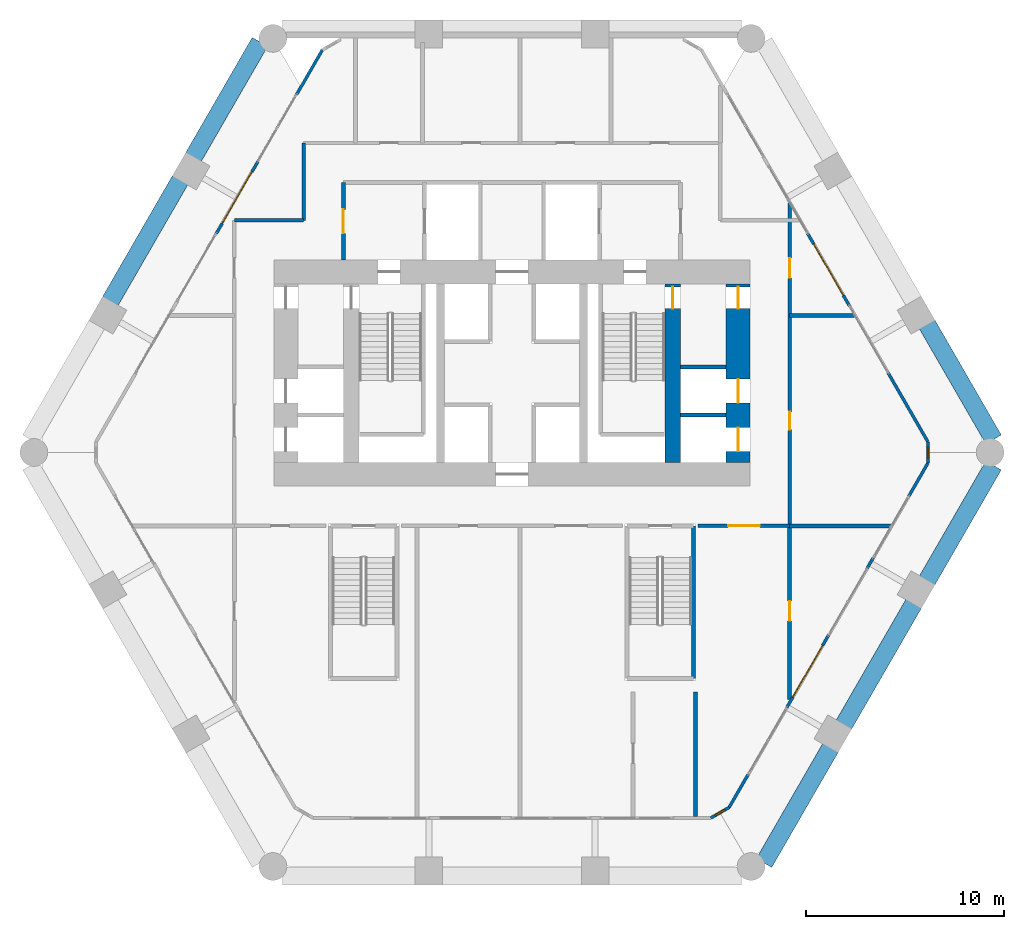
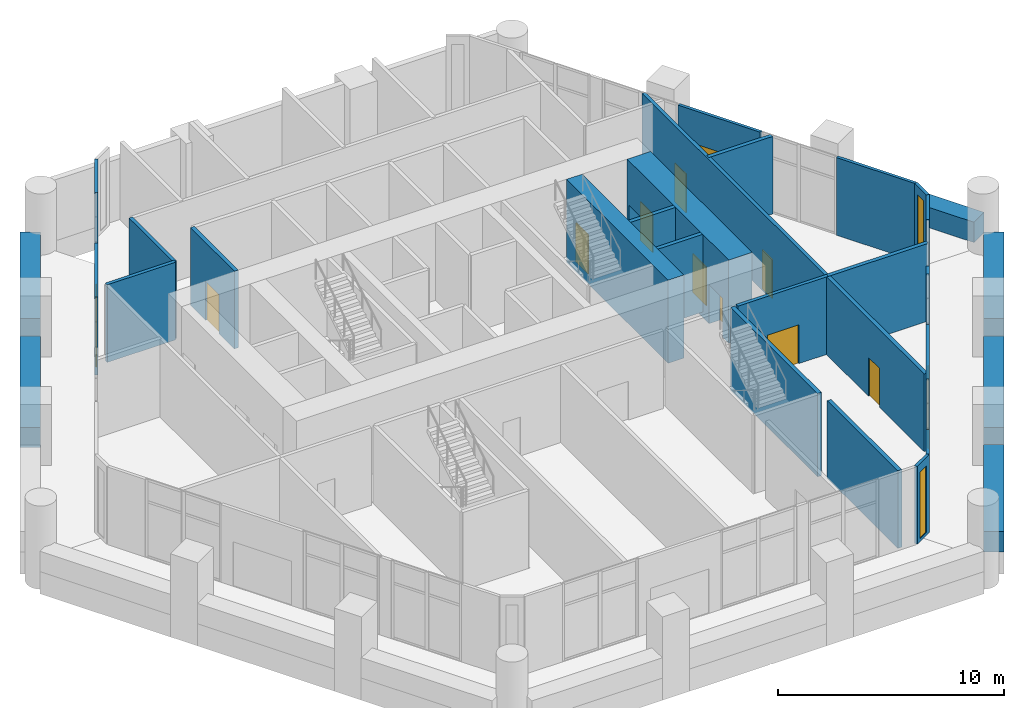
# One storey, part 15 of 18: 30 walls, 12 doors, 2 windows, 14 openings.
"""IFC4 building model written with IfcOpenShell, lengths in metres."""

import ifcopenshell
import ifcopenshell.guid

model = None  # the IFC model being written
_history = None  # IfcOwnerHistory: only IFC2X3 demands one
_inside = {}  # id of a spatial element -> (the spatial element, [elements in it])
_under = {}  # id of a project, library or spatial element -> (it, [spatial elements below it])
_declared = {}  # id of a project -> (the project, [libraries it declares])
_typed = {}  # id of a type object -> (the type object, [elements of that type])
_made_of = {}  # id of a material, layer set ... -> (it, [elements and type objects made of it])


def new_model(schema):
    """Start an empty IFC model of exactly this schema.

    Asked for "IFC4X3", IfcOpenShell would pick the latest addendum, in which some entities
    have other attributes; the version numbers below select the first issue.
    IFC2X3 requires an IfcOwnerHistory on every rooted entity: one is made here for all.
    """
    global model, _history
    if schema == "IFC4X3":
        model = ifcopenshell.file(schema_version=(4, 3, 0, 0))
    else:
        model = ifcopenshell.file(schema=schema)
    _inside.clear()
    _under.clear()
    _declared.clear()
    _typed.clear()
    _made_of.clear()
    _history = None
    if model.schema == "IFC2X3":
        org = make("IfcOrganization", Name="unknown")
        user = make(
            "IfcPersonAndOrganization",
            ThePerson=make("IfcPerson", FamilyName="unknown"),
            TheOrganization=org,
        )
        app = make(
            "IfcApplication",
            ApplicationDeveloper=org,
            Version="unknown",
            ApplicationFullName="unknown",
            ApplicationIdentifier="unknown",
        )
        _history = make(
            "IfcOwnerHistory",
            OwningUser=user,
            OwningApplication=app,
            ChangeAction="ADDED",
            CreationDate=0,
        )
    return model


def make(cls, **values):
    """One entity of the class cls with the attributes given. An attribute that is None is left unset."""
    return model.create_entity(
        cls, **{name: value for name, value in values.items() if value is not None}
    )


def rooted(cls, **values):
    """An entity with a GlobalId (a new one), such as an element, a storey or a relation."""
    return make(cls, GlobalId=ifcopenshell.guid.new(), OwnerHistory=_history, **values)


def si_unit(unit_type, name, prefix=None):
    """IfcSIUnit, for example si_unit("LENGTHUNIT", "METRE", prefix="MILLI")."""
    return make("IfcSIUnit", UnitType=unit_type, Prefix=prefix, Name=name)


def assignment(units):
    """IfcUnitAssignment: the units of a project."""
    return None if units is None else make("IfcUnitAssignment", Units=units)


def point(xyz):
    """IfcCartesianPoint."""
    return None if xyz is None else make("IfcCartesianPoint", Coordinates=xyz)


def direction(xyz):
    """IfcDirection."""
    return None if xyz is None else make("IfcDirection", DirectionRatios=xyz)


def frame(location, z_axis=None, x_axis=None):
    """IfcAxis2Placement3D, a coordinate frame: its origin and axes. An axis left out is left unset."""
    return make(
        "IfcAxis2Placement3D",
        Location=point(location),
        Axis=direction(z_axis),
        RefDirection=direction(x_axis),
    )


def frame_2d(location, x_axis=None):
    """IfcAxis2Placement2D, a coordinate frame in the plane: its origin and x axis."""
    return make(
        "IfcAxis2Placement2D", Location=point(location), RefDirection=direction(x_axis)
    )


def origin():
    """The frame at (0, 0, 0) with its axes left unset."""
    return frame((0.0, 0.0, 0.0))


def place(relative_to, where):
    """IfcLocalPlacement: puts the frame where relative to a parent placement (None: the world)."""
    return make(
        "IfcLocalPlacement", PlacementRelTo=relative_to, RelativePlacement=where
    )


def context(
    kind, dimensions, precision=None, world=None, true_north=None, identifier=None
):
    """IfcGeometricRepresentationContext, for example the 3D "Model" context."""
    return make(
        "IfcGeometricRepresentationContext",
        ContextIdentifier=identifier,
        ContextType=kind,
        CoordinateSpaceDimension=dimensions,
        Precision=precision,
        WorldCoordinateSystem=world,
        TrueNorth=true_north,
    )


def subcontext(parent, identifier, kind, view, scale=None):
    """IfcGeometricRepresentationSubContext, for example "Body" below "Model"."""
    return make(
        "IfcGeometricRepresentationSubContext",
        ContextIdentifier=identifier,
        ContextType=kind,
        ParentContext=parent,
        TargetScale=scale,
        TargetView=view,
    )


def project(units=None, contexts=None):
    """IfcProject with its units and contexts."""
    return rooted(
        "IfcProject",
        Name="project",
        RepresentationContexts=contexts,
        UnitsInContext=assignment(units),
    )


def spatial(cls, under=None, at=None, **own):
    """A site, building, storey or space (cls), placed at a placement, below another one or the project."""
    s = rooted(cls, ObjectPlacement=at, **own)
    if under is not None:
        _under.setdefault(under.id(), (under, []))[1].append(s)
    return s


def profile(cls, at=None, kind="AREA", **sizes):
    """A parametric profile (cls). Its sizes go by their IFC names, for example OverallWidth=200.0."""
    return make(cls, ProfileType=kind, Position=at, **sizes)


def rectangle(**sizes):
    """IfcRectangleProfileDef."""
    return profile("IfcRectangleProfileDef", **sizes)


def extrude(swept, where, along, depth):
    """IfcExtrudedAreaSolid: the profile swept, set in the frame where, extruded along a direction by depth."""
    return make(
        "IfcExtrudedAreaSolid",
        SweptArea=swept,
        Position=where,
        ExtrudedDirection=direction(along),
        Depth=depth,
    )


def shape(context_of_items, identifier, shape_type, items):
    """IfcShapeRepresentation: the items that make up one representation, for example the "Body"."""
    return make(
        "IfcShapeRepresentation",
        ContextOfItems=context_of_items,
        RepresentationIdentifier=identifier,
        RepresentationType=shape_type,
        Items=items,
    )


def material(Name=None, Category=None):
    """IfcMaterial."""
    return make("IfcMaterial", Name=Name, Category=Category)


def layer(
    of_material, thickness, ventilated=None, Name=None, Category=None, Priority=None
):
    """IfcMaterialLayer: one layer of a wall or slab, of a material (None: an air gap)."""
    return make(
        "IfcMaterialLayer",
        Material=of_material,
        LayerThickness=thickness,
        IsVentilated=ventilated,
        Name=Name,
        Category=Category,
        Priority=Priority,
    )


def layer_set(layers, Name=None):
    """IfcMaterialLayerSet."""
    return make("IfcMaterialLayerSet", MaterialLayers=layers, LayerSetName=Name)


def made_of(thing, what):
    """Note that an element or type object is made of a material, layer set ...; save() writes the relation."""
    if what is not None:
        _made_of.setdefault(what.id(), (what, []))[1].append(thing)
    return thing


def type_object(cls, material=None, **own):
    """A type object (cls), such as IfcWallType, which elements share."""
    return made_of(rooted(cls, **own), material)


def element(
    cls,
    number,
    at=None,
    inside=None,
    cuts=None,
    type_object=None,
    material=None,
    context=None,
    identifier="Body",
    shape_type=None,
    held_by="IfcProductDefinitionShape",
    body=None,
    shapes=None,
    **own,
):
    """One element of the class cls, such as IfcWall. Its Tag is "e" and its number.

    at: its placement. inside: the storey or other place that contains it. cuts: it is an
    opening in that element (IfcRelVoidsElement). A single representation is given by context,
    identifier, shape_type and body (its items); several are given by shapes. held_by: the class
    of the entity that holds the representations. save() writes the other relations.
    """
    e = rooted(cls, Tag="e%d" % number, ObjectPlacement=at, **own)
    if body is not None:
        shapes = [shape(context, identifier, shape_type, body)]
    if shapes is not None:
        e.Representation = make(held_by, Representations=shapes)
    if inside is not None:
        _inside.setdefault(inside.id(), (inside, []))[1].append(e)
    if cuts is not None:
        rooted(
            "IfcRelVoidsElement", RelatingBuildingElement=cuts, RelatedOpeningElement=e
        )
    if type_object is not None:
        _typed.setdefault(type_object.id(), (type_object, []))[1].append(e)
    return made_of(e, material)


def fill(opening, filler):
    """IfcRelFillsElement: the door or window that sits in an opening."""
    return rooted(
        "IfcRelFillsElement",
        RelatingOpeningElement=opening,
        RelatedBuildingElement=filler,
    )


def aggregate(whole, parts):
    """IfcRelAggregates: a whole, such as a stair, and the parts it consists of."""
    return rooted("IfcRelAggregates", RelatingObject=whole, RelatedObjects=parts)


def save(model, path):
    """Write the relations noted so far, then the file.

    IfcRelAggregates (storeys below a building ...), IfcRelContainedInSpatialStructure (elements
    in a storey), IfcRelDefinesByType, IfcRelAssociatesMaterial and IfcRelDeclares: one each for
    every whole, place, type object, material and project.
    """
    for whole, parts in _under.values():
        aggregate(whole, parts)
    for where, things in _inside.values():
        rooted(
            "IfcRelContainedInSpatialStructure",
            RelatedElements=things,
            RelatingStructure=where,
        )
    for kind, things in _typed.values():
        rooted("IfcRelDefinesByType", RelatedObjects=things, RelatingType=kind)
    for what, things in _made_of.values():
        rooted("IfcRelAssociatesMaterial", RelatedObjects=things, RelatingMaterial=what)
    for by, libraries in _declared.values():
        rooted("IfcRelDeclares", RelatingContext=by, RelatedDefinitions=libraries)
    model.write(path)


model = new_model("IFC4")

# Units and contexts
model_context = context("Model", 3, precision=1e-05, world=origin(), true_north=direction((0.0, 1.0)))
body_context = subcontext(model_context, "Body", "Model", "MODEL_VIEW")
ifc_project = project(units=[si_unit("LENGTHUNIT", "METRE"), si_unit("AREAUNIT", "SQUARE_METRE"), si_unit("VOLUMEUNIT", "CUBIC_METRE"), si_unit("PLANEANGLEUNIT", "RADIAN"), si_unit("MASSUNIT", "GRAM", prefix="KILO")], contexts=[model_context])

# Site, building, storey
site_placement = place(None, origin())
site = spatial("IfcSite", under=ifc_project, at=site_placement, CompositionType="ELEMENT")
building_placement = place(site_placement, origin())
building = spatial("IfcBuilding", under=site, at=building_placement, Name="Ostrander Bayou Hotel Tower", CompositionType="ELEMENT")
storey_placement = place(building_placement, frame((0.0, 0.0, 19.0)))
storey = spatial("IfcBuildingStorey", under=building, at=storey_placement, Name="L04", CompositionType="ELEMENT", Elevation=19.0)

# Wall, openings, doors
ifc_material_1 = material(Name="Concrete f'c 70 MPa", Category="concrete")
ifc_layer_1 = layer(ifc_material_1, 1.199951171875)
ifc_layer_set_1 = layer_set([ifc_layer_1], Name="CW1 core wall 1200 mm f'c 70 MPa")
wall_type_1 = type_object("IfcWallType", Name="CW1 core wall 1200 mm f'c 70 MPa", PredefinedType="SHEAR", material=ifc_layer_set_1)
wall_1_placement = place(storey_placement, frame((11.39990234375, -0.5, -0.300048828125), z_axis=(0.0, 0.0, 1.0), x_axis=(0.0, 1.0, 0.0)))
wall_1 = element("IfcWall", 1, at=wall_1_placement, inside=storey, type_object=wall_type_1, Name="CW1 L04 RE", PredefinedType="SHEAR", context=body_context, shape_type="SweptSolid", body=[
    extrude(rectangle(XDim=9.0, YDim=1.199951171875, at=frame_2d((4.5, 0.0))), origin(), (0.0, 0.0, 1.0), 4.5),
])
opening_1_placement = place(wall_1_placement, frame((7.75, 0.0, 0.0)))
opening_1 = element("IfcOpeningElement", 2, at=opening_1_placement, cuts=wall_1, Name="Opening T04-016", PredefinedType="OPENING", context=body_context, shape_type="SweptSolid", body=[
    extrude(rectangle(XDim=1.10009765625, YDim=2.10009765625, at=frame_2d((0.550048828125, 1.050048828125))), frame((0.0, 0.60009765625, 0.0), z_axis=(0.0, -1.0, 0.0), x_axis=(1.0, 0.0, 0.0)), (0.0, 0.0, 1.0), 1.199951171875),
])
opening_2_placement = place(wall_1_placement, frame((0.550048828125, 0.0, 0.0)))
opening_2 = element("IfcOpeningElement", 3, at=opening_2_placement, cuts=wall_1, Name="Opening T04-017", PredefinedType="OPENING", context=body_context, shape_type="SweptSolid", body=[
    extrude(rectangle(XDim=1.199951171875, YDim=2.10009765625, at=frame_2d((0.60009765625, 1.050048828125))), frame((0.0, 0.60009765625, 0.0), z_axis=(0.0, -1.0, 0.0), x_axis=(1.0, 0.0, 0.0)), (0.0, 0.0, 1.0), 1.199951171875),
])
opening_3_placement = place(wall_1_placement, frame((3.0, 0.0, 0.0)))
opening_3 = element("IfcOpeningElement", 4, at=opening_3_placement, cuts=wall_1, Name="Opening T04-018", PredefinedType="OPENING", context=body_context, shape_type="SweptSolid", body=[
    extrude(rectangle(XDim=1.199951171875, YDim=2.10009765625, at=frame_2d((0.60009765625, 1.050048828125))), frame((0.0, 0.60009765625, 0.0), z_axis=(0.0, -1.0, 0.0), x_axis=(1.0, 0.0, 0.0)), (0.0, 0.0, 1.0), 1.199951171875),
])
ifc_material_2 = material(Name="Timber door leaf", Category="wood")
door_type_1 = type_object("IfcDoorType", Name="D5 stair door 1100 x 2100 mm, 90 minute", OperationType="SINGLE_SWING_LEFT", PredefinedType="DOOR", material=ifc_material_2)
door_1_placement = place(opening_1_placement, origin())
door_1 = element("IfcDoor", 5, at=door_1_placement, inside=storey, type_object=door_type_1, Name="dr:L04:016", OperationType="SINGLE_SWING_RIGHT", OverallHeight=2.10009765625, OverallWidth=1.10009765625, PredefinedType="DOOR", context=body_context, shape_type="SweptSolid", body=[
    extrude(rectangle(XDim=1.10009765625, YDim=2.10009765625, at=frame_2d((0.550048828125, 1.050048828125))), frame((0.0, 0.02490234375, 0.0), z_axis=(0.0, -1.0, 0.0), x_axis=(1.0, 0.0, 0.0)), (0.0, 0.0, 1.0), 0.050048828125),
])
fill(opening_1, door_1)
ifc_material_3 = material(Name="Stainless steel sliding door", Category="steel")
door_type_2 = type_object("IfcDoorType", Name="LD1 lift landing door 1200 x 2100 mm", OperationType="SINGLE_SWING_LEFT", PredefinedType="DOOR", material=ifc_material_3)
door_2_placement = place(opening_2_placement, origin())
door_2 = element("IfcDoor", 6, at=door_2_placement, inside=storey, type_object=door_type_2, Name="dr:L04:017", OperationType="SLIDING_TO_LEFT", OverallHeight=2.10009765625, OverallWidth=1.199951171875, PredefinedType="DOOR", context=body_context, shape_type="SweptSolid", body=[
    extrude(rectangle(XDim=1.199951171875, YDim=2.10009765625, at=frame_2d((0.60009765625, 1.050048828125))), frame((0.0, 0.02490234375, 0.0), z_axis=(0.0, -1.0, 0.0), x_axis=(1.0, 0.0, 0.0)), (0.0, 0.0, 1.0), 0.050048828125),
])
fill(opening_2, door_2)
door_3_placement = place(opening_3_placement, origin())
door_3 = element("IfcDoor", 7, at=door_3_placement, inside=storey, type_object=door_type_2, Name="dr:L04:018", OperationType="SLIDING_TO_LEFT", OverallHeight=2.10009765625, OverallWidth=1.199951171875, PredefinedType="DOOR", context=body_context, shape_type="SweptSolid", body=[
    extrude(rectangle(XDim=1.199951171875, YDim=2.10009765625, at=frame_2d((0.60009765625, 1.050048828125))), frame((0.0, 0.02490234375, 0.0), z_axis=(0.0, -1.0, 0.0), x_axis=(1.0, 0.0, 0.0)), (0.0, 0.0, 1.0), 0.050048828125),
])
fill(opening_3, door_3)

# Wall, opening, door
ifc_material_4 = material(Name="Concrete f'c 70 MPa", Category="concrete")
ifc_layer_2 = layer(ifc_material_4, 0.800048828125)
ifc_layer_set_2 = layer_set([ifc_layer_2], Name="CW2 core spine wall 800 mm f'c 70 MPa")
wall_type_2 = type_object("IfcWallType", Name="CW2 core spine wall 800 mm f'c 70 MPa", PredefinedType="SHEAR", material=ifc_layer_set_2)
wall_2_placement = place(storey_placement, frame((8.10009765625, -0.5, -0.300048828125), z_axis=(0.0, 0.0, 1.0), x_axis=(0.0, 1.0, 0.0)))
wall_2 = element("IfcWall", 8, at=wall_2_placement, inside=storey, type_object=wall_type_2, Name="CW2 L04 E", PredefinedType="SHEAR", context=body_context, shape_type="SweptSolid", body=[
    extrude(rectangle(XDim=9.0, YDim=0.800048828125, at=frame_2d((4.5, 0.0))), origin(), (0.0, 0.0, 1.0), 4.5),
])
opening_4_placement = place(wall_2_placement, frame((7.75, 0.0, 0.0)))
opening_4 = element("IfcOpeningElement", 9, at=opening_4_placement, cuts=wall_2, Name="Opening T04-006", PredefinedType="OPENING", context=body_context, shape_type="SweptSolid", body=[
    extrude(rectangle(XDim=1.10009765625, YDim=2.10009765625, at=frame_2d((0.550048828125, 1.050048828125))), frame((0.0, 0.39990234375, 0.0), z_axis=(0.0, -1.0, 0.0), x_axis=(1.0, 0.0, 0.0)), (0.0, 0.0, 1.0), 0.800048828125),
])
door_4_placement = place(opening_4_placement, origin())
door_4 = element("IfcDoor", 10, at=door_4_placement, inside=storey, type_object=door_type_1, Name="dr:L04:006", OperationType="SINGLE_SWING_LEFT", OverallHeight=2.10009765625, OverallWidth=1.10009765625, PredefinedType="DOOR", context=body_context, shape_type="SweptSolid", body=[
    extrude(rectangle(XDim=1.10009765625, YDim=2.10009765625, at=frame_2d((0.550048828125, 1.050048828125))), frame((0.0, 0.02490234375, 0.0), z_axis=(0.0, -1.0, 0.0), x_axis=(1.0, 0.0, 0.0)), (0.0, 0.0, 1.0), 0.050048828125),
])
fill(opening_4, door_4)

ifc_material_5 = material(Name="Aluminium framed insulated wall", Category="aluminium")
ifc_layer_3 = layer(ifc_material_5, 0.14990234375)
ifc_layer_set_3 = layer_set([ifc_layer_3], Name="GW1 glass-line wall 150 mm")
wall_type_3 = type_object("IfcWallType", Name="GW1 glass-line wall 150 mm", PredefinedType="SOLIDWALL", material=ifc_layer_set_3)
wall_3_placement = place(storey_placement, frame((-12.806396484375, 14.66845703125, 0.0), z_axis=(0.0, 0.0, 1.0), x_axis=(-0.500027713859, -0.866009402589, 0.0)))
wall_3 = element("IfcWall", 11, at=wall_3_placement, inside=storey, type_object=wall_type_3, Name="GW1 L04 NW 2", PredefinedType="SOLIDWALL", context=body_context, shape_type="SweptSolid", body=[
    extrude(rectangle(XDim=4.199951171875, YDim=0.14990234375, at=frame_2d((2.10009765625, 0.0))), origin(), (0.0, 0.0, 1.0), 4.199951171875),
])
opening_5_placement = place(wall_3_placement, frame((0.60009765625, 0.0, 0.0)))
opening_5 = element("IfcOpeningElement", 12, at=opening_5_placement, cuts=wall_3, Name="Opening T04-800", PredefinedType="OPENING", context=body_context, shape_type="SweptSolid", body=[
    extrude(rectangle(XDim=3.0, YDim=2.39990234375, at=frame_2d((1.5, 1.199951171875))), frame((0.0, 0.074951171875, 0.0), z_axis=(0.0, -1.0, 0.0), x_axis=(1.0, 0.0, 0.0)), (0.0, 0.0, 1.0), 0.14990234375),
])
ifc_material_6 = material(Name="Aluminium and clear glass", Category="aluminium")
door_type_3 = type_object("IfcDoorType", Name="SD5 sliding glass door 3000 mm", OperationType="SLIDING_TO_LEFT", PredefinedType="DOOR", material=ifc_material_6)
door_5_placement = place(opening_5_placement, origin())
door_5 = element("IfcDoor", 13, at=door_5_placement, inside=storey, type_object=door_type_3, Name="SD5 L04 NW 2", OperationType="SLIDING_TO_RIGHT", OverallHeight=2.39990234375, OverallWidth=3.0, PredefinedType="DOOR", context=body_context, shape_type="SweptSolid", body=[
    extrude(rectangle(XDim=3.0, YDim=2.39990234375, at=frame_2d((1.5, 1.199951171875))), frame((0.0, 0.02490234375, 0.0), z_axis=(0.0, -1.0, 0.0), x_axis=(1.0, 0.0, 0.0)), (0.0, 0.0, 1.0), 0.050048828125),
])
fill(opening_5, door_5)

# Wall
wall_4_placement = place(storey_placement, frame((-9.5595703125, 20.29248046875, 0.0), z_axis=(0.0, 0.0, 1.0), x_axis=(-0.499945140294, -0.866057074734, 0.0)))
element("IfcWall", 14, at=wall_4_placement, inside=storey, type_object=wall_type_3, Name="GW1 L04 NW end 1", PredefinedType="SOLIDWALL", context=body_context, shape_type="SweptSolid", body=[
    extrude(rectangle(XDim=2.593994140625, YDim=0.14990234375, at=frame_2d((1.296875, 0.0))), origin(), (0.0, 0.0, 1.0), 4.199951171875),
])

# Wall, opening, door
wall_5_placement = place(storey_placement, frame((13.8564453125, -12.849853515625, 0.0), z_axis=(0.0, 0.0, 1.0), x_axis=(0.500002543286, 0.866023935413, 0.0)))
wall_5 = element("IfcWall", 15, at=wall_5_placement, inside=storey, type_object=wall_type_3, Name="GW1 L04 SE 2", PredefinedType="SOLIDWALL", context=body_context, shape_type="SweptSolid", body=[
    extrude(rectangle(XDim=4.2001953125, YDim=0.14990234375, at=frame_2d((2.10009765625, 0.0))), origin(), (0.0, 0.0, 1.0), 4.199951171875),
])
opening_6_placement = place(wall_5_placement, frame((0.60009765625, 0.0, 0.0)))
opening_6 = element("IfcOpeningElement", 16, at=opening_6_placement, cuts=wall_5, Name="Opening T04-803", PredefinedType="OPENING", context=body_context, shape_type="SweptSolid", body=[
    extrude(rectangle(XDim=3.0, YDim=2.39990234375, at=frame_2d((1.5, 1.199951171875))), frame((0.0, 0.074951171875, 0.0), z_axis=(0.0, -1.0, 0.0), x_axis=(1.0, 0.0, 0.0)), (0.0, 0.0, 1.0), 0.14990234375),
])
door_6_placement = place(opening_6_placement, origin())
door_6 = element("IfcDoor", 17, at=door_6_placement, inside=storey, type_object=door_type_3, Name="SD5 L04 SE 2", OperationType="SLIDING_TO_RIGHT", OverallHeight=2.39990234375, OverallWidth=3.0, PredefinedType="DOOR", context=body_context, shape_type="SweptSolid", body=[
    extrude(rectangle(XDim=3.0, YDim=2.39990234375, at=frame_2d((1.5, 1.199951171875))), frame((0.0, 0.02490234375, 0.0), z_axis=(0.0, -1.0, 0.0), x_axis=(1.0, 0.0, 0.0)), (0.0, 0.0, 1.0), 0.050048828125),
])
fill(opening_6, door_6)

# Walls
for number, where, z_axis, x_axis, name in (
    (18, (10.945068359375, -17.892578125, 0.0), (0.0, 0.0, 1.0), (0.499989888488, 0.86603124159, 0.0), "GW1 L04 SE end 1"),
    (19, (20.006591796875, -2.19775390625, 0.0), (0.0, 0.0, 1.0), (0.499989888488, 0.86603124159, 0.0), "GW1 L04 SE end 2"),
):
    element("IfcWall", number, at=place(storey_placement, frame(where, z_axis=z_axis, x_axis=x_axis)), inside=storey, type_object=wall_type_3, Name=name, PredefinedType="SOLIDWALL", context=body_context, shape_type="SweptSolid", body=[
        extrude(rectangle(XDim=1.9228515625, YDim=0.14990234375, at=frame_2d((0.96142578125, 0.0))), origin(), (0.0, 0.0, 1.0), 4.199951171875),
    ])
wall_6_placement = place(storey_placement, frame((17.906494140625, -5.8349609375, 0.0), z_axis=(0.0, 0.0, 1.0), x_axis=(0.50012165622, 0.865955154139, 0.0)))
element("IfcWall", 20, at=wall_6_placement, inside=storey, type_object=wall_type_3, Name="GW1 L04 SE pier 4", PredefinedType="SOLIDWALL", context=body_context, shape_type="SweptSolid", body=[
    extrude(rectangle(XDim=0.599853515625, YDim=0.14990234375, at=frame_2d((0.2998046875, 0.0))), origin(), (0.0, 0.0, 1.0), 4.199951171875),
])

# Wall, opening, door
wall_7_placement = place(storey_placement, frame((17.006591796875, 7.393798828125, 0.0), z_axis=(0.0, 0.0, 1.0), x_axis=(-0.500002543286, 0.866023935413, 0.0)))
wall_7 = element("IfcWall", 21, at=wall_7_placement, inside=storey, type_object=wall_type_3, Name="GW1 L04 NE 3", PredefinedType="SOLIDWALL", context=body_context, shape_type="SweptSolid", body=[
    extrude(rectangle(XDim=4.2001953125, YDim=0.14990234375, at=frame_2d((2.10009765625, 0.0))), origin(), (0.0, 0.0, 1.0), 4.199951171875),
])
opening_7_placement = place(wall_7_placement, frame((0.60009765625, 0.0, 0.0)))
opening_7 = element("IfcOpeningElement", 22, at=opening_7_placement, cuts=wall_7, Name="Opening T04-804", PredefinedType="OPENING", context=body_context, shape_type="SweptSolid", body=[
    extrude(rectangle(XDim=3.0, YDim=2.39990234375, at=frame_2d((1.5, 1.199951171875))), frame((0.0, 0.074951171875, 0.0), z_axis=(0.0, -1.0, 0.0), x_axis=(1.0, 0.0, 0.0)), (0.0, 0.0, 1.0), 0.14990234375),
])
door_7_placement = place(opening_7_placement, origin())
door_7 = element("IfcDoor", 23, at=door_7_placement, inside=storey, type_object=door_type_3, Name="SD5 L04 NE 3", OperationType="SLIDING_TO_LEFT", OverallHeight=2.39990234375, OverallWidth=3.0, PredefinedType="DOOR", context=body_context, shape_type="SweptSolid", body=[
    extrude(rectangle(XDim=3.0, YDim=2.39990234375, at=frame_2d((1.5, 1.199951171875))), frame((0.0, 0.02490234375, 0.0), z_axis=(0.0, -1.0, 0.0), x_axis=(1.0, 0.0, 0.0)), (0.0, 0.0, 1.0), 0.050048828125),
])
fill(opening_7, door_7)

# Wall
wall_8_placement = place(storey_placement, frame((20.968017578125, 0.532470703125, 0.0), z_axis=(0.0, 0.0, 1.0), x_axis=(-0.500009633848, 0.866019841608, 0.0)))
element("IfcWall", 24, at=wall_8_placement, inside=storey, type_object=wall_type_3, Name="GW1 L04 NE end 1", PredefinedType="SOLIDWALL", context=body_context, shape_type="SweptSolid", body=[
    extrude(rectangle(XDim=4.02294921875, YDim=0.14990234375, at=frame_2d((2.011474609375, 0.0))), origin(), (0.0, 0.0, 1.0), 4.199951171875),
])

# Wall, opening, window
wall_9_placement = place(storey_placement, frame((10.022705078125, -18.425048828125, 0.0), z_axis=(0.0, 0.0, 1.0), x_axis=(0.866048165231, 0.499960573946, 0.0)))
wall_9 = element("IfcWall", 25, at=wall_9_placement, inside=storey, type_object=wall_type_3, Name="GW1 L04 corner 4", PredefinedType="SOLIDWALL", context=body_context, shape_type="SweptSolid", body=[
    extrude(rectangle(XDim=1.06494140625, YDim=0.14990234375, at=frame_2d((0.532470703125, 0.0))), origin(), (0.0, 0.0, 1.0), 4.199951171875),
])
opening_8_placement = place(wall_9_placement, frame((0.257568359375, 0.0, 0.14990234375)))
opening_8 = element("IfcOpeningElement", 26, at=opening_8_placement, cuts=wall_9, Name="Opening W19", PredefinedType="OPENING", context=body_context, shape_type="SweptSolid", body=[
    extrude(rectangle(XDim=0.550048828125, YDim=3.60009765625, at=frame_2d((0.27490234375, 1.800048828125))), frame((0.0, 0.074951171875, 0.0), z_axis=(0.0, -1.0, 0.0), x_axis=(1.0, 0.0, 0.0)), (0.0, 0.0, 1.0), 0.14990234375),
])
ifc_material_7 = material(Name="Aluminium and clear glass", Category="aluminium")
window_type = type_object("IfcWindowType", Name="W19 corner window 550 mm", PartitioningType="SINGLE_PANEL", PredefinedType="WINDOW", material=ifc_material_7)
window_1_placement = place(opening_8_placement, origin())
window_1 = element("IfcWindow", 27, at=window_1_placement, inside=storey, type_object=window_type, Name="W19 L04 corner 4", OverallHeight=3.60009765625, OverallWidth=0.550048828125, PartitioningType="SINGLE_PANEL", PredefinedType="WINDOW", context=body_context, shape_type="SweptSolid", body=[
    extrude(rectangle(XDim=0.550048828125, YDim=3.60009765625, at=frame_2d((0.27490234375, 1.800048828125))), frame((0.0, 0.030029296875, 0.0), z_axis=(0.0, -1.0, 0.0), x_axis=(1.0, 0.0, 0.0)), (0.0, 0.0, 1.0), 0.06005859375),
])
fill(opening_8, window_1)

wall_10_placement = place(storey_placement, frame((20.968017578125, -0.532470703125, 0.0), z_axis=(0.0, 0.0, 1.0), x_axis=(0.0, 1.0, 0.0)))
wall_10 = element("IfcWall", 28, at=wall_10_placement, inside=storey, type_object=wall_type_3, Name="GW1 L04 corner 5", PredefinedType="SOLIDWALL", context=body_context, shape_type="SweptSolid", body=[
    extrude(rectangle(XDim=1.06494140625, YDim=0.14990234375, at=frame_2d((0.532470703125, 0.0))), origin(), (0.0, 0.0, 1.0), 4.199951171875),
])
opening_9_placement = place(wall_10_placement, frame((0.257568359375, 0.0, 0.14990234375)))
opening_9 = element("IfcOpeningElement", 29, at=opening_9_placement, cuts=wall_10, Name="Opening W19", PredefinedType="OPENING", context=body_context, shape_type="SweptSolid", body=[
    extrude(rectangle(XDim=0.550048828125, YDim=3.60009765625, at=frame_2d((0.27490234375, 1.800048828125))), frame((0.0, 0.074951171875, 0.0), z_axis=(0.0, -1.0, 0.0), x_axis=(1.0, 0.0, 0.0)), (0.0, 0.0, 1.0), 0.14990234375),
])
window_2_placement = place(opening_9_placement, origin())
window_2 = element("IfcWindow", 30, at=window_2_placement, inside=storey, type_object=window_type, Name="W19 L04 corner 5", OverallHeight=3.60009765625, OverallWidth=0.550048828125, PartitioningType="SINGLE_PANEL", PredefinedType="WINDOW", context=body_context, shape_type="SweptSolid", body=[
    extrude(rectangle(XDim=0.550048828125, YDim=3.60009765625, at=frame_2d((0.27490234375, 1.800048828125))), frame((0.0, 0.030029296875, 0.0), z_axis=(0.0, -1.0, 0.0), x_axis=(1.0, 0.0, 0.0)), (0.0, 0.0, 1.0), 0.06005859375),
])
fill(opening_9, window_2)

# Walls
ifc_material_8 = material(Name="Concrete f'c 40 MPa", Category="concrete")
ifc_layer_4 = layer(ifc_material_8, 0.89990234375)
ifc_layer_set_4 = layer_set([ifc_layer_4], Name="PA1 stone-faced parapet 900 mm")
wall_type_4 = type_object("IfcWallType", Name="PA1 stone-faced parapet 900 mm", PredefinedType="PARAPET", material=ifc_layer_set_4)
wall_11_placement = place(storey_placement, frame((-12.705078125, 20.694091796875, 0.0), z_axis=(0.0, 0.0, 1.0), x_axis=(-0.500005133765, -0.866022439784, 0.0)))
element("IfcWall", 31, at=wall_11_placement, inside=storey, type_object=wall_type_4, Name="PA1 L04 NW-1", PredefinedType="PARAPET", context=body_context, shape_type="SweptSolid", body=[
    extrude(rectangle(XDim=6.70361328125, YDim=0.89990234375, at=frame_2d((3.351806640625, 0.0))), origin(), (0.0, 0.0, 1.0), 1.10009765625),
])
wall_12_placement = place(storey_placement, frame((-16.726806640625, 13.72802734375, 0.0), z_axis=(0.0, 0.0, 1.0), x_axis=(-0.499997206141, -0.866027016814, 0.0)))
element("IfcWall", 32, at=wall_12_placement, inside=storey, type_object=wall_type_4, Name="PA1 L04 NW-2", PredefinedType="PARAPET", context=body_context, shape_type="SweptSolid", body=[
    extrude(rectangle(XDim=7.05078125, YDim=0.89990234375, at=frame_2d((3.525390625, 0.0))), origin(), (0.0, 0.0, 1.0), 1.10009765625),
])
wall_13_placement = place(storey_placement, frame((24.274169921875, 0.656005859375, 0.0), z_axis=(0.0, 0.0, 1.0), x_axis=(-0.500005133765, 0.866022439784, 0.0)))
element("IfcWall", 33, at=wall_13_placement, inside=storey, type_object=wall_type_4, Name="PA1 L04 NE-1", PredefinedType="PARAPET", context=body_context, shape_type="SweptSolid", body=[
    extrude(rectangle(XDim=6.70361328125, YDim=0.89990234375, at=frame_2d((3.351806640625, 0.0))), origin(), (0.0, 0.0, 1.0), 1.10009765625),
])
ifc_material_9 = material(Name="Limestone masonry", Category="masonry")
ifc_layer_5 = layer(ifc_material_9, 0.89990234375)
ifc_layer_set_5 = layer_set([ifc_layer_5], Name="PA2 limestone parapet 900 mm")
wall_type_5 = type_object("IfcWallType", Name="PA2 limestone parapet 900 mm", PredefinedType="PARAPET", material=ifc_layer_set_5)
wall_14_placement = place(storey_placement, frame((12.705078125, -20.694091796875, 0.0), z_axis=(0.0, 0.0, 1.0), x_axis=(0.500005133765, 0.866022439784, 0.0)))
element("IfcWall", 34, at=wall_14_placement, inside=storey, type_object=wall_type_5, Name="PA2 L04 SE-1", PredefinedType="PARAPET", context=body_context, shape_type="SweptSolid", body=[
    extrude(rectangle(XDim=6.70361328125, YDim=0.89990234375, at=frame_2d((3.351806640625, 0.0))), origin(), (0.0, 0.0, 1.0), 1.10009765625),
])
wall_15_placement = place(storey_placement, frame((16.726806640625, -13.72802734375, 0.0), z_axis=(0.0, 0.0, 1.0), x_axis=(0.499997206141, 0.866027016814, 0.0)))
element("IfcWall", 35, at=wall_15_placement, inside=storey, type_object=wall_type_5, Name="PA2 L04 SE-2", PredefinedType="PARAPET", context=body_context, shape_type="SweptSolid", body=[
    extrude(rectangle(XDim=7.05078125, YDim=0.89990234375, at=frame_2d((3.525390625, 0.0))), origin(), (0.0, 0.0, 1.0), 1.10009765625),
])
wall_16_placement = place(storey_placement, frame((20.92236328125, -6.46142578125, 0.0), z_axis=(0.0, 0.0, 1.0), x_axis=(0.500005133765, 0.866022439784, 0.0)))
element("IfcWall", 36, at=wall_16_placement, inside=storey, type_object=wall_type_5, Name="PA2 L04 SE-3", PredefinedType="PARAPET", context=body_context, shape_type="SweptSolid", body=[
    extrude(rectangle(XDim=6.70361328125, YDim=0.89990234375, at=frame_2d((3.351806640625, 0.0))), origin(), (0.0, 0.0, 1.0), 1.10009765625),
])
ifc_material_10 = material(Name="Gypsum board partition", Category="finish")
ifc_layer_6 = layer(ifc_material_10, 0.199951171875)
ifc_layer_set_6 = layer_set([ifc_layer_6], Name="PT3 demising wall 200 mm acoustic double stud, 1 hour")
wall_type_6 = type_object("IfcWallType", Name="PT3 demising wall 200 mm acoustic double stud, 1 hour", PredefinedType="PARTITIONING", material=ifc_layer_set_6)
wall_17_placement = place(storey_placement, frame((14.0, -3.699951171875, 0.0), z_axis=(0.0, 0.0, 1.0), x_axis=(1.0, 0.0, 0.0)))
element("IfcWall", 37, at=wall_17_placement, inside=storey, type_object=wall_type_6, Name="sw:L04:012", PredefinedType="PARTITIONING", context=body_context, shape_type="SweptSolid", body=[
    extrude(rectangle(XDim=5.117919921875, YDim=0.199951171875, at=frame_2d((2.55908203125, 0.0))), origin(), (0.0, 0.0, 1.0), 4.199951171875),
])
wall_18_placement = place(storey_placement, frame((14.0, 6.89990234375, 0.0), z_axis=(0.0, 0.0, 1.0), x_axis=(1.0, 0.0, 0.0)))
element("IfcWall", 38, at=wall_18_placement, inside=storey, type_object=wall_type_6, Name="sw:L04:014", PredefinedType="PARTITIONING", context=body_context, shape_type="SweptSolid", body=[
    extrude(rectangle(XDim=3.2705078125, YDim=0.199951171875, at=frame_2d((1.63525390625, 0.0))), origin(), (0.0, 0.0, 1.0), 4.199951171875),
])
wall_19_placement = place(storey_placement, frame((9.25, -18.344970703125, 0.0), z_axis=(0.0, 0.0, 1.0), x_axis=(0.0, 1.0, 0.0)))
element("IfcWall", 39, at=wall_19_placement, inside=storey, type_object=wall_type_6, Name="sw:L04:023", PredefinedType="PARTITIONING", context=body_context, shape_type="SweptSolid", body=[
    extrude(rectangle(XDim=6.264892578125, YDim=0.199951171875, at=frame_2d((3.13232421875, 0.0))), origin(), (0.0, 0.0, 1.0), 4.199951171875),
])

# Wall, opening, door
wall_20_placement = place(storey_placement, frame((14.0, -12.4462890625, 0.0), z_axis=(0.0, 0.0, 1.0), x_axis=(0.0, 1.0, 0.0)))
wall_20 = element("IfcWall", 40, at=wall_20_placement, inside=storey, type_object=wall_type_6, Name="sw:L04:025", PredefinedType="PARTITIONING", context=body_context, shape_type="SweptSolid", body=[
    extrude(rectangle(XDim=8.746337890625, YDim=0.199951171875, at=frame_2d((4.373046875, 0.0))), origin(), (0.0, 0.0, 1.0), 4.199951171875),
])
opening_10_placement = place(wall_20_placement, frame((3.95068359375, 0.0, 0.0)))
opening_10 = element("IfcOpeningElement", 41, at=opening_10_placement, cuts=wall_20, Name="Opening T04-207", PredefinedType="OPENING", context=body_context, shape_type="SweptSolid", body=[
    extrude(rectangle(XDim=1.0, YDim=2.10009765625, at=frame_2d((0.5, 1.050048828125))), frame((0.0, 0.10009765625, 0.0), z_axis=(0.0, -1.0, 0.0), x_axis=(1.0, 0.0, 0.0)), (0.0, 0.0, 1.0), 0.199951171875),
])
ifc_material_11 = material(Name="Timber door leaf", Category="wood")
door_type_4 = type_object("IfcDoorType", Name="D9 service door 1000 x 2100 mm, 30 minute", OperationType="SINGLE_SWING_LEFT", PredefinedType="DOOR", material=ifc_material_11)
door_8_placement = place(opening_10_placement, origin())
door_8 = element("IfcDoor", 42, at=door_8_placement, inside=storey, type_object=door_type_4, Name="dr:L04:207", OperationType="SINGLE_SWING_LEFT", OverallHeight=2.10009765625, OverallWidth=1.0, PredefinedType="DOOR", context=body_context, shape_type="SweptSolid", body=[
    extrude(rectangle(XDim=1.0, YDim=2.10009765625, at=frame_2d((0.5, 1.050048828125))), frame((0.0, 0.02490234375, 0.0), z_axis=(0.0, -1.0, 0.0), x_axis=(1.0, 0.0, 0.0)), (0.0, 0.0, 1.0), 0.050048828125),
])
fill(opening_10, door_8)

ifc_material_12 = material(Name="Gypsum board partition", Category="finish")
ifc_layer_7 = layer(ifc_material_12, 0.175048828125)
ifc_layer_set_7 = layer_set([ifc_layer_7], Name="PT4 corridor wall 175 mm, 1 hour")
wall_type_7 = type_object("IfcWallType", Name="PT4 corridor wall 175 mm, 1 hour", PredefinedType="PARTITIONING", material=ifc_layer_set_7)
wall_21_placement = place(storey_placement, frame((9.3798828125, -3.699951171875, 0.0), z_axis=(0.0, 0.0, 1.0), x_axis=(1.0, 0.0, 0.0)))
wall_21 = element("IfcWall", 43, at=wall_21_placement, inside=storey, type_object=wall_type_7, Name="sw:L04:003", PredefinedType="PARTITIONING", context=body_context, shape_type="SweptSolid", body=[
    extrude(rectangle(XDim=4.6201171875, YDim=0.175048828125, at=frame_2d((2.31005859375, 0.0))), origin(), (0.0, 0.0, 1.0), 4.199951171875),
])
opening_11_placement = place(wall_21_placement, frame((1.510009765625, 0.0, 0.0)))
opening_11 = element("IfcOpeningElement", 44, at=opening_11_placement, cuts=wall_21, Name="Opening T04-204", PredefinedType="OPENING", context=body_context, shape_type="SweptSolid", body=[
    extrude(rectangle(XDim=1.60009765625, YDim=2.10009765625, at=frame_2d((0.800048828125, 1.050048828125))), frame((0.0, 0.08740234375, 0.0), z_axis=(0.0, -1.0, 0.0), x_axis=(1.0, 0.0, 0.0)), (0.0, 0.0, 1.0), 0.175048828125),
])
ifc_material_13 = material(Name="Timber door leaf", Category="wood")
door_type_5 = type_object("IfcDoorType", Name="D13 double door 1600 x 2100 mm, 1 hour", OperationType="SINGLE_SWING_LEFT", PredefinedType="DOOR", material=ifc_material_13)
door_9_placement = place(opening_11_placement, origin())
door_9 = element("IfcDoor", 45, at=door_9_placement, inside=storey, type_object=door_type_5, Name="dr:L04:204", OperationType="DOUBLE_DOOR_SINGLE_SWING", OverallHeight=2.10009765625, OverallWidth=1.60009765625, PredefinedType="DOOR", context=body_context, shape_type="SweptSolid", body=[
    extrude(rectangle(XDim=1.60009765625, YDim=2.10009765625, at=frame_2d((0.800048828125, 1.050048828125))), frame((0.0, 0.02490234375, 0.0), z_axis=(0.0, -1.0, 0.0), x_axis=(1.0, 0.0, 0.0)), (0.0, 0.0, 1.0), 0.050048828125),
])
fill(opening_11, door_9)

# Walls
wall_22_placement = place(storey_placement, frame((-14.0, 11.699951171875, 0.0), z_axis=(0.0, 0.0, 1.0), x_axis=(1.0, 0.0, 0.0)))
element("IfcWall", 46, at=wall_22_placement, inside=storey, type_object=wall_type_7, Name="sw:L04:004", PredefinedType="PARTITIONING", context=body_context, shape_type="SweptSolid", body=[
    extrude(rectangle(XDim=3.5, YDim=0.175048828125, at=frame_2d((1.75, 0.0))), origin(), (0.0, 0.0, 1.0), 4.199951171875),
])
wall_23_placement = place(storey_placement, frame((-10.5, 11.699951171875, 0.0), z_axis=(0.0, 0.0, 1.0), x_axis=(0.0, 1.0, 0.0)))
element("IfcWall", 47, at=wall_23_placement, inside=storey, type_object=wall_type_7, Name="sw:L04:008", PredefinedType="PARTITIONING", context=body_context, shape_type="SweptSolid", body=[
    extrude(rectangle(XDim=3.900146484375, YDim=0.175048828125, at=frame_2d((1.9501953125, 0.0))), origin(), (0.0, 0.0, 1.0), 4.199951171875),
])

# Wall, openings, doors
wall_24_placement = place(storey_placement, frame((14.0, -3.699951171875, 0.0), z_axis=(0.0, 0.0, 1.0), x_axis=(0.0, 1.0, 0.0)))
wall_24 = element("IfcWall", 48, at=wall_24_placement, inside=storey, type_object=wall_type_7, Name="sw:L04:010", PredefinedType="PARTITIONING", context=body_context, shape_type="SweptSolid", body=[
    extrude(rectangle(XDim=16.268310546875, YDim=0.175048828125, at=frame_2d((8.13427734375, 0.0))), origin(), (0.0, 0.0, 1.0), 4.199951171875),
])
opening_12_placement = place(wall_24_placement, frame((4.85009765625, 0.0, 0.0)))
opening_12 = element("IfcOpeningElement", 49, at=opening_12_placement, cuts=wall_24, Name="Opening T04-208", PredefinedType="OPENING", context=body_context, shape_type="SweptSolid", body=[
    extrude(rectangle(XDim=0.89990234375, YDim=2.10009765625, at=frame_2d((0.449951171875, 1.050048828125))), frame((0.0, 0.08740234375, 0.0), z_axis=(0.0, -1.0, 0.0), x_axis=(1.0, 0.0, 0.0)), (0.0, 0.0, 1.0), 0.175048828125),
])
opening_13_placement = place(wall_24_placement, frame((12.5, 0.0, 0.0)))
opening_13 = element("IfcOpeningElement", 50, at=opening_13_placement, cuts=wall_24, Name="Opening T04-214", PredefinedType="OPENING", context=body_context, shape_type="SweptSolid", body=[
    extrude(rectangle(XDim=1.0, YDim=2.10009765625, at=frame_2d((0.5, 1.050048828125))), frame((0.0, 0.08740234375, 0.0), z_axis=(0.0, -1.0, 0.0), x_axis=(1.0, 0.0, 0.0)), (0.0, 0.0, 1.0), 0.175048828125),
])
ifc_material_14 = material(Name="Timber door leaf", Category="wood")
door_type_6 = type_object("IfcDoorType", Name="D8 room door 900 x 2100 mm", OperationType="SINGLE_SWING_LEFT", PredefinedType="DOOR", material=ifc_material_14)
door_10_placement = place(opening_12_placement, origin())
door_10 = element("IfcDoor", 51, at=door_10_placement, inside=storey, type_object=door_type_6, Name="dr:L04:208", OperationType="SINGLE_SWING_RIGHT", OverallHeight=2.10009765625, OverallWidth=0.89990234375, PredefinedType="DOOR", context=body_context, shape_type="SweptSolid", body=[
    extrude(rectangle(XDim=0.89990234375, YDim=2.10009765625, at=frame_2d((0.449951171875, 1.050048828125))), frame((0.0, 0.02490234375, 0.0), z_axis=(0.0, -1.0, 0.0), x_axis=(1.0, 0.0, 0.0)), (0.0, 0.0, 1.0), 0.050048828125),
])
fill(opening_12, door_10)
door_11_placement = place(opening_13_placement, origin())
door_11 = element("IfcDoor", 52, at=door_11_placement, inside=storey, type_object=door_type_4, Name="dr:L04:214", OperationType="SINGLE_SWING_RIGHT", OverallHeight=2.10009765625, OverallWidth=1.0, PredefinedType="DOOR", context=body_context, shape_type="SweptSolid", body=[
    extrude(rectangle(XDim=1.0, YDim=2.10009765625, at=frame_2d((0.5, 1.050048828125))), frame((0.0, 0.02490234375, 0.0), z_axis=(0.0, -1.0, 0.0), x_axis=(1.0, 0.0, 0.0)), (0.0, 0.0, 1.0), 0.050048828125),
])
fill(opening_13, door_11)

# Wall, opening, door
ifc_material_15 = material(Name="Masonry block", Category="masonry")
ifc_layer_8 = layer(ifc_material_15, 0.199951171875)
ifc_layer_set_8 = layer_set([ifc_layer_8], Name="PT5 stair enclosure wall 200 mm masonry, 2 hour")
wall_type_8 = type_object("IfcWallType", Name="PT5 stair enclosure wall 200 mm masonry, 2 hour", PredefinedType="PARTITIONING", material=ifc_layer_set_8)
wall_25_placement = place(storey_placement, frame((-8.5, 9.699951171875, 0.0), z_axis=(0.0, 0.0, 1.0), x_axis=(0.0, 1.0, 0.0)))
wall_25 = element("IfcWall", 53, at=wall_25_placement, inside=storey, type_object=wall_type_8, Name="cs:L04:022", PredefinedType="PARTITIONING", context=body_context, shape_type="SweptSolid", body=[
    extrude(rectangle(XDim=3.900146484375, YDim=0.199951171875, at=frame_2d((1.9501953125, 0.0))), origin(), (0.0, 0.0, 1.0), 4.199951171875),
])
opening_14_placement = place(wall_25_placement, frame((1.35009765625, 0.0, 0.0)))
opening_14 = element("IfcOpeningElement", 54, at=opening_14_placement, cuts=wall_25, Name="Opening T04-010", PredefinedType="OPENING", context=body_context, shape_type="SweptSolid", body=[
    extrude(rectangle(XDim=1.199951171875, YDim=2.10009765625, at=frame_2d((0.60009765625, 1.050048828125))), frame((0.0, 0.10009765625, 0.0), z_axis=(0.0, -1.0, 0.0), x_axis=(1.0, 0.0, 0.0)), (0.0, 0.0, 1.0), 0.199951171875),
])
ifc_material_16 = material(Name="Timber door leaf", Category="wood")
door_type_7 = type_object("IfcDoorType", Name="D7 lobby door 1200 x 2100 mm, 1 hour", OperationType="SINGLE_SWING_LEFT", PredefinedType="DOOR", material=ifc_material_16)
door_12_placement = place(opening_14_placement, origin())
door_12 = element("IfcDoor", 55, at=door_12_placement, inside=storey, type_object=door_type_7, Name="dr:L04:010", OperationType="SINGLE_SWING_LEFT", OverallHeight=2.10009765625, OverallWidth=1.199951171875, PredefinedType="DOOR", context=body_context, shape_type="SweptSolid", body=[
    extrude(rectangle(XDim=1.199951171875, YDim=2.10009765625, at=frame_2d((0.60009765625, 1.050048828125))), frame((0.0, 0.02490234375, 0.0), z_axis=(0.0, -1.0, 0.0), x_axis=(1.0, 0.0, 0.0)), (0.0, 0.0, 1.0), 0.050048828125),
])
fill(opening_14, door_12)

# Walls
ifc_material_17 = material(Name="Masonry block", Category="masonry")
ifc_layer_9 = layer(ifc_material_17, 0.199951171875)
ifc_layer_set_9 = layer_set([ifc_layer_9], Name="PT6 lift shaft wall 200 mm masonry, 2 hour")
wall_type_9 = type_object("IfcWallType", Name="PT6 lift shaft wall 200 mm masonry, 2 hour", PredefinedType="PARTITIONING", material=ifc_layer_set_9)
for number, where, z_axis, x_axis, name in (
    (56, (8.5, 1.89990234375, 0.0), (0.0, 0.0, 1.0), (1.0, 0.0, 0.0), "cs:L04:030"),
    (57, (8.5, 4.300048828125, 0.0), (0.0, 0.0, 1.0), (1.0, 0.0, 0.0), "cs:L04:031"),
):
    element("IfcWall", number, at=place(storey_placement, frame(where, z_axis=z_axis, x_axis=x_axis)), inside=storey, type_object=wall_type_9, Name=name, PredefinedType="PARTITIONING", context=body_context, shape_type="SweptSolid", body=[
        extrude(rectangle(XDim=2.300048828125, YDim=0.199951171875, at=frame_2d((1.14990234375, 0.0))), origin(), (0.0, 0.0, 1.0), 4.199951171875),
    ])
ifc_material_18 = material(Name="Concrete f'c 45 MPa", Category="concrete")
ifc_layer_10 = layer(ifc_material_18, 0.199951171875)
ifc_layer_set_10 = layer_set([ifc_layer_10], Name="SW5 stair enclosure wall 200 mm f'c 45 MPa")
wall_type_10 = type_object("IfcWallType", Name="SW5 stair enclosure wall 200 mm f'c 45 MPa", PredefinedType="SOLIDWALL", material=ifc_layer_set_10)
wall_26_placement = place(storey_placement, frame((9.14990234375, -3.699951171875, -0.300048828125), z_axis=(0.0, 0.0, 1.0), x_axis=(0.0, -1.0, 0.0)))
element("IfcWall", 58, at=wall_26_placement, inside=storey, type_object=wall_type_10, Name="cs:L04:015", PredefinedType="SOLIDWALL", context=body_context, shape_type="SweptSolid", body=[
    extrude(rectangle(XDim=7.699951171875, YDim=0.199951171875, at=frame_2d((3.85009765625, 0.0))), origin(), (0.0, 0.0, 1.0), 4.5),
])

save(model, "model.ifc")
